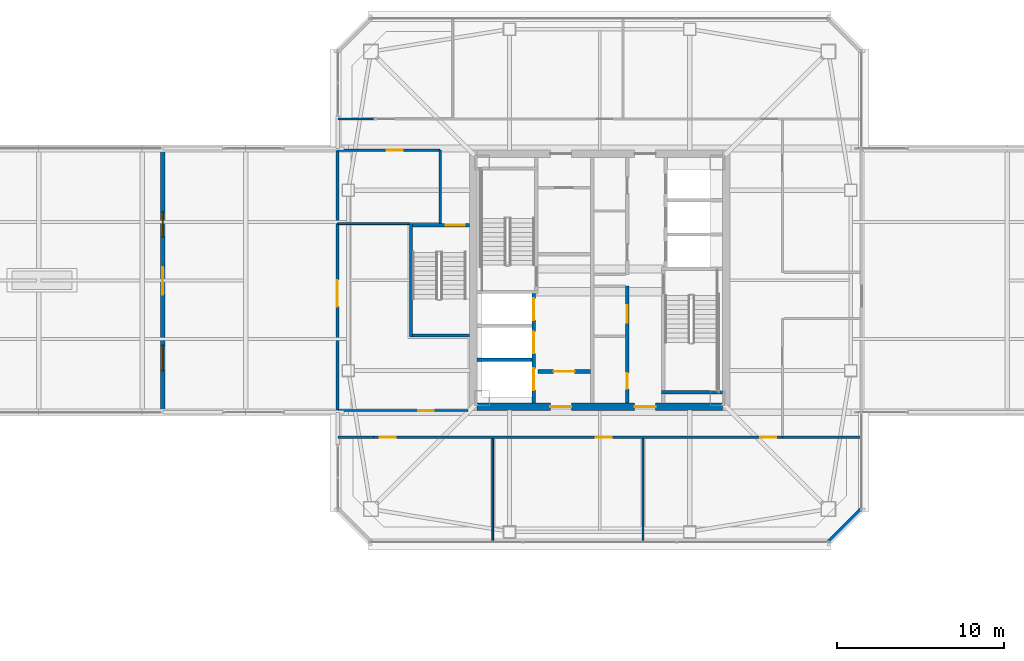
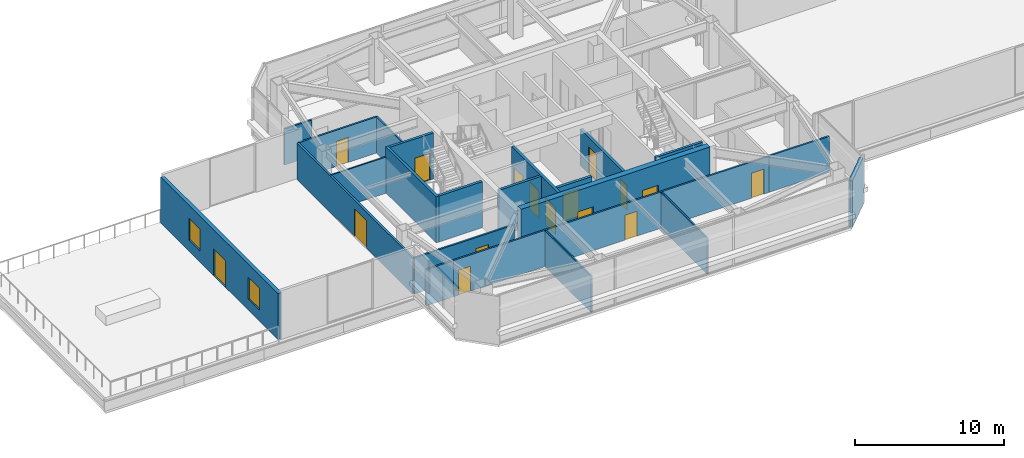
# One storey, part 39 of 51: 22 walls, 16 doors, 2 windows, 18 openings.
"""IFC4 building model written with IfcOpenShell, lengths in metres."""

from ifc_helpers import new_model, si_unit, direction, frame, frame_2d, origin, place, context, subcontext, project, spatial, rectangle, extrude, material, layer, layer_set, type_object, element, fill, save


model = new_model("IFC4")

# Units and contexts
model_context = context("Model", 3, precision=1e-05, world=origin(), true_north=direction((0.0, 1.0)))
body_context = subcontext(model_context, "Body", "Model", "MODEL_VIEW")
ifc_project = project(units=[si_unit("LENGTHUNIT", "METRE"), si_unit("AREAUNIT", "SQUARE_METRE"), si_unit("VOLUMEUNIT", "CUBIC_METRE"), si_unit("PLANEANGLEUNIT", "RADIAN"), si_unit("MASSUNIT", "GRAM", prefix="KILO")], contexts=[model_context])

# Site, building, storey
site_placement = place(None, origin())
site = spatial("IfcSite", under=ifc_project, at=site_placement, CompositionType="ELEMENT")
building_placement = place(site_placement, origin())
building = spatial("IfcBuilding", under=site, at=building_placement, Name="Tashvorn Skyway Center", CompositionType="ELEMENT")
storey_placement = place(building_placement, frame((0.0, 0.0, 251.39990234375)))
storey = spatial("IfcBuildingStorey", under=building, at=storey_placement, Name="L68", CompositionType="ELEMENT", Elevation=251.39990234375)

# Wall, openings, doors
ifc_material_1 = material(Name="Concrete C50/60", Category="concrete")
ifc_layer_1 = layer(ifc_material_1, 0.449951171875)
ifc_layer_set_1 = layer_set([ifc_layer_1], Name="Concrete C50/60")
wall_type_1 = type_object("IfcWallType", Name="WALL-CORE-450", PredefinedType="SHEAR", material=ifc_layer_set_1)
wall_1_placement = place(storey_placement, frame((49.35009765625, 24.425048828125, 0.0), z_axis=(0.0, 0.0, 1.0), x_axis=(-1.0, 0.0, 0.0)))
wall_1 = element("IfcWall", 1, at=wall_1_placement, inside=storey, type_object=wall_type_1, Name="Tower 1 L68 South Core Shear Wall", PredefinedType="SHEAR", context=body_context, shape_type="SweptSolid", body=[
    extrude(rectangle(XDim=14.7001953125, YDim=0.449951171875, at=frame_2d((7.35009765625, 0.0))), origin(), (0.0, 0.0, 1.0), 4.0),
])
opening_1_placement = place(wall_1_placement, frame((9.050048828125, 0.0, 0.0)))
opening_1 = element("IfcOpeningElement", 2, at=opening_1_placement, cuts=wall_1, Name="Opening D-FFL-1250", PredefinedType="OPENING", context=body_context, shape_type="SweptSolid", body=[
    extrude(rectangle(XDim=1.25, YDim=2.25, at=frame_2d((0.625, 1.125))), frame((0.0, 0.23486328125, 0.0), z_axis=(0.0, -1.0, 0.0), x_axis=(1.0, 0.0, 0.0)), (0.0, 0.0, 1.0), 0.469970703125),
])
opening_2_placement = place(wall_1_placement, frame((4.0, 0.0, 0.0)))
opening_2 = element("IfcOpeningElement", 3, at=opening_2_placement, cuts=wall_1, Name="Opening D-FFL-1250", PredefinedType="OPENING", context=body_context, shape_type="SweptSolid", body=[
    extrude(rectangle(XDim=1.25, YDim=2.25, at=frame_2d((0.625, 1.125))), frame((0.0, 0.23486328125, 0.0), z_axis=(0.0, -1.0, 0.0), x_axis=(1.0, 0.0, 0.0)), (0.0, 0.0, 1.0), 0.469970703125),
])
ifc_material_2 = material(Name="Hollow galvanized steel fire door assembly", Category="steel")
door_type_1 = type_object("IfcDoorType", Name="DOOR-FFL-1250", OperationType="NOTDEFINED", PredefinedType="DOOR", material=ifc_material_2)
door_1_placement = place(opening_1_placement, origin())
door_1 = element("IfcDoor", 4, at=door_1_placement, inside=storey, type_object=door_type_1, Name="Tower 1 L68 Core South Firefighting Exit Door", OperationType="SINGLE_SWING_LEFT", OverallHeight=2.25, OverallWidth=1.25, PredefinedType="DOOR", context=body_context, shape_type="SweptSolid", body=[
    extrude(rectangle(XDim=1.25, YDim=2.25, at=frame_2d((0.625, 1.125))), frame((0.0, 0.02490234375, 0.0), z_axis=(0.0, -1.0, 0.0), x_axis=(1.0, 0.0, 0.0)), (0.0, 0.0, 1.0), 0.050048828125),
])
fill(opening_1, door_1)
door_2_placement = place(opening_2_placement, origin())
door_2 = element("IfcDoor", 5, at=door_2_placement, inside=storey, type_object=door_type_1, Name="Tower 1 L68 Core South Lift Lobby Door", OperationType="SINGLE_SWING_RIGHT", OverallHeight=2.25, OverallWidth=1.25, PredefinedType="DOOR", context=body_context, shape_type="SweptSolid", body=[
    extrude(rectangle(XDim=1.25, YDim=2.25, at=frame_2d((0.625, 1.125))), frame((0.0, 0.02490234375, 0.0), z_axis=(0.0, -1.0, 0.0), x_axis=(1.0, 0.0, 0.0)), (0.0, 0.0, 1.0), 0.050048828125),
])
fill(opening_2, door_2)

# Wall
ifc_material_3 = material(Name="Precast concrete C40/50", Category="concrete")
ifc_layer_2 = layer(ifc_material_3, 0.280029296875)
ifc_layer_set_2 = layer_set([ifc_layer_2], Name="Precast concrete C40/50")
wall_type_2 = type_object("IfcWallType", Name="WALL-EXT-280", PredefinedType="SOLIDWALL", material=ifc_layer_set_2)
wall_2_placement = place(storey_placement, frame((57.699951171875, 18.300048828125, 0.0), z_axis=(0.0, 0.0, 1.0), x_axis=(-0.707106781187, -0.707106781187, 0.0)))
element("IfcWall", 6, at=wall_2_placement, inside=storey, type_object=wall_type_2, Name="Tower 1 L68 SE Precast Chamfer Wall", PredefinedType="SOLIDWALL", context=body_context, shape_type="SweptSolid", body=[
    extrude(rectangle(XDim=2.828369140625, YDim=0.280029296875, at=frame_2d((1.4140625, 0.0))), origin(), (0.0, 0.0, 1.0), 3.780029296875),
])

# Wall, openings, door, windows
wall_3_placement = place(storey_placement, frame((15.840087890625, 24.10009765625, 0.0), z_axis=(0.0, 0.0, 1.0), x_axis=(0.0, 1.0, 0.0)))
wall_3 = element("IfcWall", 7, at=wall_3_placement, inside=storey, type_object=wall_type_2, Name="Sky-Park L68 West Sky-Garden Portal Wall", PredefinedType="SOLIDWALL", context=body_context, shape_type="SweptSolid", body=[
    extrude(rectangle(XDim=15.7998046875, YDim=0.280029296875, at=frame_2d((7.89990234375, 0.0))), origin(), (0.0, 0.0, 1.0), 3.780029296875),
])
opening_3_placement = place(wall_3_placement, frame((7.050048828125, 0.0, 0.0)))
opening_3 = element("IfcOpeningElement", 8, at=opening_3_placement, cuts=wall_3, Name="Opening D-TER-1650", PredefinedType="OPENING", context=body_context, shape_type="SweptSolid", body=[
    extrude(rectangle(XDim=1.64990234375, YDim=2.199951171875, at=frame_2d((0.824951171875, 1.10009765625))), frame((0.0, 0.14990234375, 0.0), z_axis=(0.0, -1.0, 0.0), x_axis=(1.0, 0.0, 0.0)), (0.0, 0.0, 1.0), 0.300048828125),
])
opening_4_placement = place(wall_3_placement, frame((2.5, 0.0, 0.89990234375)))
opening_4 = element("IfcOpeningElement", 9, at=opening_4_placement, cuts=wall_3, Name="Opening WIN-1500", PredefinedType="OPENING", context=body_context, shape_type="SweptSolid", body=[
    extrude(rectangle(XDim=1.5, YDim=1.800048828125, at=frame_2d((0.75, 0.89990234375))), frame((0.0, 0.14990234375, 0.0), z_axis=(0.0, -1.0, 0.0), x_axis=(1.0, 0.0, 0.0)), (0.0, 0.0, 1.0), 0.300048828125),
])
opening_5_placement = place(wall_3_placement, frame((10.5, 0.0, 0.89990234375)))
opening_5 = element("IfcOpeningElement", 10, at=opening_5_placement, cuts=wall_3, Name="Opening WIN-1500", PredefinedType="OPENING", context=body_context, shape_type="SweptSolid", body=[
    extrude(rectangle(XDim=1.5, YDim=1.800048828125, at=frame_2d((0.75, 0.89990234375))), frame((0.0, 0.14990234375, 0.0), z_axis=(0.0, -1.0, 0.0), x_axis=(1.0, 0.0, 0.0)), (0.0, 0.0, 1.0), 0.300048828125),
])
ifc_material_4 = material(Name="Thermally broken bronze-anodized aluminium 6063-T6", Category="aluminium")
door_type_2 = type_object("IfcDoorType", Name="DOOR-TERR-1650", OperationType="DOUBLE_DOOR_SINGLE_SWING", PredefinedType="DOOR", material=ifc_material_4)
door_3_placement = place(opening_3_placement, origin())
door_3 = element("IfcDoor", 11, at=door_3_placement, inside=storey, type_object=door_type_2, Name="Sky-Park L68 Cantilever Terrace Double Door", OperationType="DOUBLE_DOOR_SINGLE_SWING", OverallHeight=2.199951171875, OverallWidth=1.64990234375, PredefinedType="DOOR", context=body_context, shape_type="SweptSolid", body=[
    extrude(rectangle(XDim=1.64990234375, YDim=2.199951171875, at=frame_2d((0.824951171875, 1.10009765625))), frame((0.0, 0.02490234375, 0.0), z_axis=(0.0, -1.0, 0.0), x_axis=(1.0, 0.0, 0.0)), (0.0, 0.0, 1.0), 0.050048828125),
])
fill(opening_3, door_3)
ifc_material_5 = material(Name="Low-E solar-control double insulating safety glass", Category="glass")
window_type = type_object("IfcWindowType", Name="WIN-PAV-1500", PartitioningType="SINGLE_PANEL", PredefinedType="WINDOW", material=ifc_material_5)
window_1_placement = place(opening_4_placement, origin())
window_1 = element("IfcWindow", 12, at=window_1_placement, inside=storey, type_object=window_type, Name="Sky-Park L68 Cantilever Portal Window South", OverallHeight=1.800048828125, OverallWidth=1.5, PartitioningType="SINGLE_PANEL", PredefinedType="WINDOW", context=body_context, shape_type="SweptSolid", body=[
    extrude(rectangle(XDim=1.5, YDim=1.800048828125, at=frame_2d((0.75, 0.89990234375))), frame((0.0, 0.030029296875, 0.0), z_axis=(0.0, -1.0, 0.0), x_axis=(1.0, 0.0, 0.0)), (0.0, 0.0, 1.0), 0.06005859375),
])
fill(opening_4, window_1)
window_2_placement = place(opening_5_placement, origin())
window_2 = element("IfcWindow", 13, at=window_2_placement, inside=storey, type_object=window_type, Name="Sky-Park L68 Cantilever Portal Window North", OverallHeight=1.800048828125, OverallWidth=1.5, PartitioningType="SINGLE_PANEL", PredefinedType="WINDOW", context=body_context, shape_type="SweptSolid", body=[
    extrude(rectangle(XDim=1.5, YDim=1.800048828125, at=frame_2d((0.75, 0.89990234375))), frame((0.0, 0.030029296875, 0.0), z_axis=(0.0, -1.0, 0.0), x_axis=(1.0, 0.0, 0.0)), (0.0, 0.0, 1.0), 0.06005859375),
])
fill(opening_5, window_2)

# Wall, opening, door
ifc_material_6 = material(Name="Concrete C40/50", Category="concrete")
ifc_layer_3 = layer(ifc_material_6, 0.219970703125)
ifc_layer_set_3 = layer_set([ifc_layer_3], Name="Concrete C40/50")
wall_type_3 = type_object("IfcWallType", Name="WALL-FFL-220", PredefinedType="SOLIDWALL", material=ifc_layer_set_3)
wall_4_placement = place(storey_placement, frame((38.300048828125, 26.5400390625, 0.0), z_axis=(0.0, 0.0, 1.0), x_axis=(1.0, 0.0, 0.0)))
wall_4 = element("IfcWall", 14, at=wall_4_placement, inside=storey, type_object=wall_type_3, Name="Tower 1 L68 Firefighting Lobby South Wall", PredefinedType="SOLIDWALL", context=body_context, shape_type="SweptSolid", body=[
    extrude(rectangle(XDim=3.14990234375, YDim=0.219970703125, at=frame_2d((1.574951171875, 0.0))), origin(), (0.0, 0.0, 1.0), 2.97119140625),
])
opening_6_placement = place(wall_4_placement, frame((0.949951171875, 0.0, 0.0)))
opening_6 = element("IfcOpeningElement", 15, at=opening_6_placement, cuts=wall_4, Name="Opening D-FFL-1250", PredefinedType="OPENING", context=body_context, shape_type="SweptSolid", body=[
    extrude(rectangle(XDim=1.25, YDim=2.25, at=frame_2d((0.625, 1.125))), frame((0.0, 0.119873046875, 0.0), z_axis=(0.0, -1.0, 0.0), x_axis=(1.0, 0.0, 0.0)), (0.0, 0.0, 1.0), 0.239990234375),
])
door_4_placement = place(opening_6_placement, origin())
door_4 = element("IfcDoor", 16, at=door_4_placement, inside=storey, type_object=door_type_1, Name="Tower 1 L68 Firefighting Lobby Egress Door", OperationType="SINGLE_SWING_LEFT", OverallHeight=2.25, OverallWidth=1.25, PredefinedType="DOOR", context=body_context, shape_type="SweptSolid", body=[
    extrude(rectangle(XDim=1.25, YDim=2.25, at=frame_2d((0.625, 1.125))), frame((0.0, 0.02490234375, 0.0), z_axis=(0.0, -1.0, 0.0), x_axis=(1.0, 0.0, 0.0)), (0.0, 0.0, 1.0), 0.050048828125),
])
fill(opening_6, door_4)

# Walls
ifc_material_7 = material(Name="Gypsum board on cold-formed steel stud framing", Category="steel")
ifc_layer_4 = layer(ifc_material_7, 0.110107421875)
ifc_layer_set_4 = layer_set([ifc_layer_4], Name="Gypsum board on cold-formed steel stud framing")
wall_type_4 = type_object("IfcWallType", Name="WALL-PART-110", PredefinedType="PARTITIONING", material=ifc_layer_set_4)
for number, where, z_axis, x_axis, name in (
    (17, (35.60009765625, 16.320068359375, 0.0), (0.0, 0.0, 1.0), (0.0, 1.0, 0.0), "Tower 1 L68 South Suite Partition 1"),
    (18, (44.60009765625, 16.320068359375, 0.0), (0.0, 0.0, 1.0), (0.0, 1.0, 0.0), "Tower 1 L68 South Suite Partition 2"),
):
    element("IfcWall", number, at=place(storey_placement, frame(where, z_axis=z_axis, x_axis=x_axis)), inside=storey, type_object=wall_type_4, Name=name, PredefinedType="PARTITIONING", context=body_context, shape_type="SweptSolid", body=[
        extrude(rectangle(XDim=6.199951171875, YDim=0.110107421875, at=frame_2d((3.10009765625, 0.0))), origin(), (0.0, 0.0, 1.0), 2.97119140625),
    ])
wall_5_placement = place(storey_placement, frame((30.60009765625, 35.39990234375, 0.0), z_axis=(0.0, 0.0, 1.0), x_axis=(-1.0, 0.0, 0.0)))
element("IfcWall", 19, at=wall_5_placement, inside=storey, type_object=wall_type_4, Name="Tower 1 L68 West Suite Partition 1", PredefinedType="PARTITIONING", context=body_context, shape_type="SweptSolid", body=[
    extrude(rectangle(XDim=4.280029296875, YDim=0.110107421875, at=frame_2d((2.14013671875, 0.0))), origin(), (0.0, 0.0, 1.0), 2.97119140625),
])
ifc_layer_5 = layer(ifc_material_7, 0.135009765625)
ifc_layer_set_5 = layer_set([ifc_layer_5], Name="Gypsum board on cold-formed steel stud framing")
wall_type_5 = type_object("IfcWallType", Name="WALL-PART-135", PredefinedType="PARTITIONING", material=ifc_layer_set_5)
wall_6_placement = place(storey_placement, frame((32.449951171875, 35.39990234375, 0.0), z_axis=(0.0, 0.0, 1.0), x_axis=(0.0, 1.0, 0.0)))
element("IfcWall", 20, at=wall_6_placement, inside=storey, type_object=wall_type_5, Name="Tower 1 L68 Stair 3 Access Corridor Wall", PredefinedType="PARTITIONING", context=body_context, shape_type="SweptSolid", body=[
    extrude(rectangle(XDim=4.400146484375, YDim=0.135009765625, at=frame_2d((2.2001953125, 0.0))), origin(), (0.0, 0.0, 1.0), 2.97119140625),
])
wall_7_placement = place(storey_placement, frame((26.320068359375, 41.669921875, 0.0), z_axis=(0.0, 0.0, 1.0), x_axis=(1.0, 0.0, 0.0)))
element("IfcWall", 21, at=wall_7_placement, inside=storey, type_object=wall_type_5, Name="Tower 1 L68 North-West Suite South Wall", PredefinedType="PARTITIONING", context=body_context, shape_type="SweptSolid", body=[
    extrude(rectangle(XDim=2.1298828125, YDim=0.135009765625, at=frame_2d((1.06494140625, 0.0))), origin(), (0.0, 0.0, 1.0), 2.97119140625),
])

# Wall, openings, doors
wall_8_placement = place(storey_placement, frame((52.949951171875, 22.60009765625, 0.0), z_axis=(0.0, 0.0, 1.0), x_axis=(-1.0, 0.0, 0.0)))
wall_8 = element("IfcWall", 22, at=wall_8_placement, inside=storey, type_object=wall_type_5, Name="Tower 1 L68 South Suite Wall", PredefinedType="PARTITIONING", context=body_context, shape_type="SweptSolid", body=[
    extrude(rectangle(XDim=24.5, YDim=0.135009765625, at=frame_2d((12.25, 0.0))), origin(), (0.0, 0.0, 1.0), 2.97119140625),
])
opening_7_placement = place(wall_8_placement, frame((23.169921875, 0.0, 0.0)))
opening_7 = element("IfcOpeningElement", 23, at=opening_7_placement, cuts=wall_8, Name="Opening D-INT-950", PredefinedType="OPENING", context=body_context, shape_type="SweptSolid", body=[
    extrude(rectangle(XDim=0.949951171875, YDim=2.050048828125, at=frame_2d((0.47509765625, 1.02490234375))), frame((0.0, 0.077392578125, 0.0), z_axis=(0.0, -1.0, 0.0), x_axis=(1.0, 0.0, 0.0)), (0.0, 0.0, 1.0), 0.155029296875),
])
opening_8_placement = place(wall_8_placement, frame((10.23828125, 0.0, 0.0)))
opening_8 = element("IfcOpeningElement", 24, at=opening_8_placement, cuts=wall_8, Name="Opening D-INT-950", PredefinedType="OPENING", context=body_context, shape_type="SweptSolid", body=[
    extrude(rectangle(XDim=0.949951171875, YDim=2.050048828125, at=frame_2d((0.47509765625, 1.02490234375))), frame((0.0, 0.077392578125, 0.0), z_axis=(0.0, -1.0, 0.0), x_axis=(1.0, 0.0, 0.0)), (0.0, 0.0, 1.0), 0.155029296875),
])
opening_9_placement = place(wall_8_placement, frame((0.3798828125, 0.0, 0.0)))
opening_9 = element("IfcOpeningElement", 25, at=opening_9_placement, cuts=wall_8, Name="Opening D-INT-950", PredefinedType="OPENING", context=body_context, shape_type="SweptSolid", body=[
    extrude(rectangle(XDim=0.949951171875, YDim=2.050048828125, at=frame_2d((0.47509765625, 1.02490234375))), frame((0.0, 0.077392578125, 0.0), z_axis=(0.0, -1.0, 0.0), x_axis=(1.0, 0.0, 0.0)), (0.0, 0.0, 1.0), 0.155029296875),
])
ifc_material_8 = material(Name="Solid-core architectural oak veneer door")
door_type_3 = type_object("IfcDoorType", Name="DOOR-INT-950", OperationType="NOTDEFINED", PredefinedType="DOOR", material=ifc_material_8)
door_5_placement = place(opening_7_placement, origin())
door_5 = element("IfcDoor", 26, at=door_5_placement, inside=storey, type_object=door_type_3, Name="Tower 1 L68 Executive Suite Door", OperationType="SINGLE_SWING_RIGHT", OverallHeight=2.050048828125, OverallWidth=0.949951171875, PredefinedType="DOOR", context=body_context, shape_type="SweptSolid", body=[
    extrude(rectangle(XDim=0.949951171875, YDim=2.050048828125, at=frame_2d((0.47509765625, 1.02490234375))), frame((0.0, 0.02490234375, 0.0), z_axis=(0.0, -1.0, 0.0), x_axis=(1.0, 0.0, 0.0)), (0.0, 0.0, 1.0), 0.050048828125),
])
fill(opening_7, door_5)
door_6_placement = place(opening_8_placement, origin())
door_6 = element("IfcDoor", 27, at=door_6_placement, inside=storey, type_object=door_type_3, Name="Tower 1 L68 Boardroom Door", OperationType="SINGLE_SWING_LEFT", OverallHeight=2.050048828125, OverallWidth=0.949951171875, PredefinedType="DOOR", context=body_context, shape_type="SweptSolid", body=[
    extrude(rectangle(XDim=0.949951171875, YDim=2.050048828125, at=frame_2d((0.47509765625, 1.02490234375))), frame((0.0, 0.02490234375, 0.0), z_axis=(0.0, -1.0, 0.0), x_axis=(1.0, 0.0, 0.0)), (0.0, 0.0, 1.0), 0.050048828125),
])
fill(opening_8, door_6)
door_7_placement = place(opening_9_placement, origin())
door_7 = element("IfcDoor", 28, at=door_7_placement, inside=storey, type_object=door_type_3, Name="Tower 1 L68 Boardroom Door", OperationType="SINGLE_SWING_RIGHT", OverallHeight=2.050048828125, OverallWidth=0.949951171875, PredefinedType="DOOR", context=body_context, shape_type="SweptSolid", body=[
    extrude(rectangle(XDim=0.949951171875, YDim=2.050048828125, at=frame_2d((0.47509765625, 1.02490234375))), frame((0.0, 0.02490234375, 0.0), z_axis=(0.0, -1.0, 0.0), x_axis=(1.0, 0.0, 0.0)), (0.0, 0.0, 1.0), 0.050048828125),
])
fill(opening_9, door_7)

# Walls
wall_9_placement = place(storey_placement, frame((26.320068359375, 22.60009765625, 0.0), z_axis=(0.0, 0.0, 1.0), x_axis=(1.0, 0.0, 0.0)))
element("IfcWall", 29, at=wall_9_placement, inside=storey, type_object=wall_type_5, Name="Tower 1 L68 South-West Suite North Wall", PredefinedType="PARTITIONING", context=body_context, shape_type="SweptSolid", body=[
    extrude(rectangle(XDim=2.1298828125, YDim=0.135009765625, at=frame_2d((1.06494140625, 0.0))), origin(), (0.0, 0.0, 1.0), 2.97119140625),
])
wall_10_placement = place(storey_placement, frame((52.949951171875, 22.60009765625, 0.0), z_axis=(0.0, 0.0, 1.0), x_axis=(1.0, 0.0, 0.0)))
element("IfcWall", 30, at=wall_10_placement, inside=storey, type_object=wall_type_5, Name="Tower 1 L68 South-East Suite North Wall", PredefinedType="PARTITIONING", context=body_context, shape_type="SweptSolid", body=[
    extrude(rectangle(XDim=4.72998046875, YDim=0.135009765625, at=frame_2d((2.364990234375, 0.0))), origin(), (0.0, 0.0, 1.0), 2.97119140625),
])

# Wall, opening, door
wall_11_placement = place(storey_placement, frame((32.449951171875, 39.800048828125, 0.0), z_axis=(0.0, 0.0, 1.0), x_axis=(-1.0, 0.0, 0.0)))
wall_11 = element("IfcWall", 31, at=wall_11_placement, inside=storey, type_object=wall_type_5, Name="Tower 1 L68 West Suite North Wall", PredefinedType="PARTITIONING", context=body_context, shape_type="SweptSolid", body=[
    extrude(rectangle(XDim=6.1298828125, YDim=0.135009765625, at=frame_2d((3.06494140625, 0.0))), origin(), (0.0, 0.0, 1.0), 2.97119140625),
])
opening_10_placement = place(wall_11_placement, frame((2.239990234375, 0.0, 0.0)))
opening_10 = element("IfcOpeningElement", 32, at=opening_10_placement, cuts=wall_11, Name="Opening D-INT-950", PredefinedType="OPENING", context=body_context, shape_type="SweptSolid", body=[
    extrude(rectangle(XDim=0.949951171875, YDim=2.050048828125, at=frame_2d((0.47509765625, 1.02490234375))), frame((0.0, 0.077392578125, 0.0), z_axis=(0.0, -1.0, 0.0), x_axis=(1.0, 0.0, 0.0)), (0.0, 0.0, 1.0), 0.155029296875),
])
door_8_placement = place(opening_10_placement, origin())
door_8 = element("IfcDoor", 33, at=door_8_placement, inside=storey, type_object=door_type_3, Name="Tower 1 L68 Security Control Room Door", OperationType="SINGLE_SWING_LEFT", OverallHeight=2.050048828125, OverallWidth=0.949951171875, PredefinedType="DOOR", context=body_context, shape_type="SweptSolid", body=[
    extrude(rectangle(XDim=0.949951171875, YDim=2.050048828125, at=frame_2d((0.47509765625, 1.02490234375))), frame((0.0, 0.02490234375, 0.0), z_axis=(0.0, -1.0, 0.0), x_axis=(1.0, 0.0, 0.0)), (0.0, 0.0, 1.0), 0.050048828125),
])
fill(opening_10, door_8)

wall_12_placement = place(storey_placement, frame((26.320068359375, 24.199951171875, 0.0), z_axis=(0.0, 0.0, 1.0), x_axis=(1.0, 0.0, 0.0)))
wall_12 = element("IfcWall", 34, at=wall_12_placement, inside=storey, type_object=wall_type_5, Name="Tower 1 L68 West Suite South Wall", PredefinedType="PARTITIONING", context=body_context, shape_type="SweptSolid", body=[
    extrude(rectangle(XDim=7.800048828125, YDim=0.135009765625, at=frame_2d((3.89990234375, 0.0))), origin(), (0.0, 0.0, 1.0), 2.97119140625),
])
opening_11_placement = place(wall_12_placement, frame((4.804931640625, 0.0, 0.0)))
opening_11 = element("IfcOpeningElement", 35, at=opening_11_placement, cuts=wall_12, Name="Opening D-INT-950", PredefinedType="OPENING", context=body_context, shape_type="SweptSolid", body=[
    extrude(rectangle(XDim=0.949951171875, YDim=2.050048828125, at=frame_2d((0.47509765625, 1.02490234375))), frame((0.0, 0.077392578125, 0.0), z_axis=(0.0, -1.0, 0.0), x_axis=(1.0, 0.0, 0.0)), (0.0, 0.0, 1.0), 0.155029296875),
])
door_9_placement = place(opening_11_placement, origin())
door_9 = element("IfcDoor", 36, at=door_9_placement, inside=storey, type_object=door_type_3, Name="Tower 1 L68 Breakout Lounge Door", OperationType="SINGLE_SWING_RIGHT", OverallHeight=2.050048828125, OverallWidth=0.949951171875, PredefinedType="DOOR", context=body_context, shape_type="SweptSolid", body=[
    extrude(rectangle(XDim=0.949951171875, YDim=2.050048828125, at=frame_2d((0.47509765625, 1.02490234375))), frame((0.0, 0.02490234375, 0.0), z_axis=(0.0, -1.0, 0.0), x_axis=(1.0, 0.0, 0.0)), (0.0, 0.0, 1.0), 0.050048828125),
])
fill(opening_11, door_9)

ifc_layer_6 = layer(ifc_material_7, 0.159912109375)
ifc_layer_set_6 = layer_set([ifc_layer_6], Name="Gypsum board on cold-formed steel stud framing")
wall_type_6 = type_object("IfcWallType", Name="WALL-PART-160", PredefinedType="PARTITIONING", material=ifc_layer_set_6)
wall_13_placement = place(storey_placement, frame((26.300048828125, 24.219970703125, 0.0), z_axis=(0.0, 0.0, 1.0), x_axis=(0.0, 1.0, 0.0)))
wall_13 = element("IfcWall", 37, at=wall_13_placement, inside=storey, type_object=wall_type_6, Name="L68 Sky-Park Cantilever Entry Wall", PredefinedType="PARTITIONING", context=body_context, shape_type="SweptSolid", body=[
    extrude(rectangle(XDim=15.56005859375, YDim=0.159912109375, at=frame_2d((7.780029296875, 0.0))), origin(), (0.0, 0.0, 1.0), 2.97119140625),
])
opening_12_placement = place(wall_13_placement, frame((6.199951171875, 0.0, 0.0)))
opening_12 = element("IfcOpeningElement", 38, at=opening_12_placement, cuts=wall_13, Name="Opening D-DBL-1600", PredefinedType="OPENING", context=body_context, shape_type="SweptSolid", body=[
    extrude(rectangle(XDim=1.60009765625, YDim=2.25, at=frame_2d((0.800048828125, 1.125))), frame((0.0, 0.08984375, 0.0), z_axis=(0.0, -1.0, 0.0), x_axis=(1.0, 0.0, 0.0)), (0.0, 0.0, 1.0), 0.179931640625),
])
ifc_material_9 = material(Name="Anodized aluminium and tempered safety glass", Category="aluminium")
door_type_4 = type_object("IfcDoorType", Name="DOOR-DBL-1600", OperationType="DOUBLE_DOOR_SINGLE_SWING", PredefinedType="DOOR", material=ifc_material_9)
door_10_placement = place(opening_12_placement, origin())
door_10 = element("IfcDoor", 39, at=door_10_placement, inside=storey, type_object=door_type_4, Name="L68 Cantilever Gallery Entry Door", OperationType="DOUBLE_DOOR_SINGLE_SWING", OverallHeight=2.25, OverallWidth=1.60009765625, PredefinedType="DOOR", context=body_context, shape_type="SweptSolid", body=[
    extrude(rectangle(XDim=1.60009765625, YDim=2.25, at=frame_2d((0.800048828125, 1.125))), frame((0.0, 0.02490234375, 0.0), z_axis=(0.0, -1.0, 0.0), x_axis=(1.0, 0.0, 0.0)), (0.0, 0.0, 1.0), 0.050048828125),
])
fill(opening_12, door_10)

# Wall
ifc_layer_7 = layer(ifc_material_6, 0.199951171875)
ifc_layer_set_7 = layer_set([ifc_layer_7], Name="Concrete C40/50")
wall_type_7 = type_object("IfcWallType", Name="WALL-SHAFT-200", PredefinedType="SOLIDWALL", material=ifc_layer_set_7)
wall_14_placement = place(storey_placement, frame((34.64990234375, 27.25, 0.0), z_axis=(0.0, 0.0, 1.0), x_axis=(1.0, 0.0, 0.0)))
element("IfcWall", 40, at=wall_14_placement, inside=storey, type_object=wall_type_7, Name="Tower 1 L68 FSAE Shaft Divider", PredefinedType="SOLIDWALL", context=body_context, shape_type="SweptSolid", body=[
    extrude(rectangle(XDim=3.300048828125, YDim=0.199951171875, at=frame_2d((1.64990234375, 0.0))), origin(), (0.0, 0.0, 1.0), 3.780029296875),
])

# Wall, openings, doors
wall_15_placement = place(storey_placement, frame((43.64990234375, 24.64990234375, 0.0), z_axis=(0.0, 0.0, 1.0), x_axis=(0.0, 1.0, 0.0)))
wall_15 = element("IfcWall", 41, at=wall_15_placement, inside=storey, type_object=wall_type_7, Name="Tower 1 L68 Low-Rise Core Wall", PredefinedType="SOLIDWALL", context=body_context, shape_type="SweptSolid", body=[
    extrude(rectangle(XDim=7.0, YDim=0.199951171875, at=frame_2d((3.5, 0.0))), origin(), (0.0, 0.0, 1.0), 2.97119140625),
])
opening_13_placement = place(wall_15_placement, frame((0.85009765625, 0.0, 0.0)))
opening_13 = element("IfcOpeningElement", 42, at=opening_13_placement, cuts=wall_15, Name="Opening D-RT-950", PredefinedType="OPENING", context=body_context, shape_type="SweptSolid", body=[
    extrude(rectangle(XDim=0.949951171875, YDim=2.050048828125, at=frame_2d((0.47509765625, 1.02490234375))), frame((0.0, 0.10986328125, 0.0), z_axis=(0.0, -1.0, 0.0), x_axis=(1.0, 0.0, 0.0)), (0.0, 0.0, 1.0), 0.219970703125),
])
opening_14_placement = place(wall_15_placement, frame((4.800048828125, 0.0, 0.0)))
opening_14 = element("IfcOpeningElement", 43, at=opening_14_placement, cuts=wall_15, Name="Opening D-RT-1050", PredefinedType="OPENING", context=body_context, shape_type="SweptSolid", body=[
    extrude(rectangle(XDim=1.050048828125, YDim=2.199951171875, at=frame_2d((0.52490234375, 1.10009765625))), frame((0.0, 0.10986328125, 0.0), z_axis=(0.0, -1.0, 0.0), x_axis=(1.0, 0.0, 0.0)), (0.0, 0.0, 1.0), 0.219970703125),
])
door_type_5 = type_object("IfcDoorType", Name="DOOR-RATED-1050", OperationType="NOTDEFINED", PredefinedType="DOOR", material=ifc_material_2)
door_11_placement = place(opening_14_placement, origin())
door_11 = element("IfcDoor", 44, at=door_11_placement, inside=storey, type_object=door_type_5, Name="Tower 1 L68 Freed Core Room Door", OperationType="SINGLE_SWING_RIGHT", OverallHeight=2.199951171875, OverallWidth=1.050048828125, PredefinedType="DOOR", context=body_context, shape_type="SweptSolid", body=[
    extrude(rectangle(XDim=1.050048828125, YDim=2.199951171875, at=frame_2d((0.52490234375, 1.10009765625))), frame((0.0, 0.02490234375, 0.0), z_axis=(0.0, -1.0, 0.0), x_axis=(1.0, 0.0, 0.0)), (0.0, 0.0, 1.0), 0.050048828125),
])
fill(opening_14, door_11)
door_type_6 = type_object("IfcDoorType", Name="DOOR-RATED-950", OperationType="NOTDEFINED", PredefinedType="DOOR", material=ifc_material_2)
door_12_placement = place(opening_13_placement, origin())
door_12 = element("IfcDoor", 45, at=door_12_placement, inside=storey, type_object=door_type_6, Name="Tower 1 L68 Core Print Room Door", OperationType="SINGLE_SWING_LEFT", OverallHeight=2.050048828125, OverallWidth=0.949951171875, PredefinedType="DOOR", context=body_context, shape_type="SweptSolid", body=[
    extrude(rectangle(XDim=0.949951171875, YDim=2.050048828125, at=frame_2d((0.47509765625, 1.02490234375))), frame((0.0, 0.02490234375, 0.0), z_axis=(0.0, -1.0, 0.0), x_axis=(1.0, 0.0, 0.0)), (0.0, 0.0, 1.0), 0.050048828125),
])
fill(opening_13, door_12)

# Wall
ifc_layer_8 = layer(ifc_material_6, 0.199951171875)
ifc_layer_set_8 = layer_set([ifc_layer_8], Name="Concrete C40/50")
wall_type_8 = type_object("IfcWallType", Name="WALL-STSHF-200", PredefinedType="SHEAR", material=ifc_layer_set_8)
wall_16_placement = place(storey_placement, frame((45.699951171875, 25.300048828125, 0.0), z_axis=(0.0, 0.0, 1.0), x_axis=(1.0, 0.0, 0.0)))
element("IfcWall", 46, at=wall_16_placement, inside=storey, type_object=wall_type_8, Name="Tower 1 L68 Stair 2 South Wall", PredefinedType="SHEAR", context=body_context, shape_type="SweptSolid", body=[
    extrude(rectangle(XDim=3.650146484375, YDim=0.199951171875, at=frame_2d((1.8251953125, 0.0))), origin(), (0.0, 0.0, 1.0), 3.780029296875),
])

# Wall, openings, doors
wall_17_placement = place(storey_placement, frame((38.050048828125, 24.64990234375, 0.0), z_axis=(0.0, 0.0, 1.0), x_axis=(0.0, 1.0, 0.0)))
wall_17 = element("IfcWall", 47, at=wall_17_placement, inside=storey, type_object=wall_type_8, Name="Tower 1 L68 FSAE and Goods Shaft Front Wall", PredefinedType="SHEAR", context=body_context, shape_type="SweptSolid", body=[
    extrude(rectangle(XDim=6.550048828125, YDim=0.199951171875, at=frame_2d((3.27490234375, 0.0))), origin(), (0.0, 0.0, 1.0), 3.780029296875),
])
opening_15_placement = place(wall_17_placement, frame((4.97509765625, 0.0, 0.0)))
opening_15 = element("IfcOpeningElement", 48, at=opening_15_placement, cuts=wall_17, Name="Opening LD-FF-T1-1-L68", PredefinedType="OPENING", context=body_context, shape_type="SweptSolid", body=[
    extrude(rectangle(XDim=1.300048828125, YDim=2.25, at=frame_2d((0.64990234375, 1.125))), frame((0.0, 0.10986328125, 0.0), z_axis=(0.0, -1.0, 0.0), x_axis=(1.0, 0.0, 0.0)), (0.0, 0.0, 1.0), 0.219970703125),
])
opening_16_placement = place(wall_17_placement, frame((2.97509765625, 0.0, 0.0)))
opening_16 = element("IfcOpeningElement", 49, at=opening_16_placement, cuts=wall_17, Name="Opening LD-FF-T1-2-L68", PredefinedType="OPENING", context=body_context, shape_type="SweptSolid", body=[
    extrude(rectangle(XDim=1.300048828125, YDim=2.25, at=frame_2d((0.64990234375, 1.125))), frame((0.0, 0.10986328125, 0.0), z_axis=(0.0, -1.0, 0.0), x_axis=(1.0, 0.0, 0.0)), (0.0, 0.0, 1.0), 0.219970703125),
])
opening_17_placement = place(wall_17_placement, frame((0.77490234375, 0.0, 0.0)))
opening_17 = element("IfcOpeningElement", 50, at=opening_17_placement, cuts=wall_17, Name="Opening LD-GD-T1-1-L68", PredefinedType="OPENING", context=body_context, shape_type="SweptSolid", body=[
    extrude(rectangle(XDim=1.300048828125, YDim=2.25, at=frame_2d((0.64990234375, 1.125))), frame((0.0, 0.10986328125, 0.0), z_axis=(0.0, -1.0, 0.0), x_axis=(1.0, 0.0, 0.0)), (0.0, 0.0, 1.0), 0.219970703125),
])
ifc_material_10 = material(Name="Stainless steel heavy-duty landing door", Category="steel")
door_type_7 = type_object("IfcDoorType", Name="DOOR-LIFT-1300", OperationType="SLIDING_TO_LEFT", PredefinedType="DOOR", material=ifc_material_10)
door_13_placement = place(opening_15_placement, origin())
door_13 = element("IfcDoor", 51, at=door_13_placement, inside=storey, type_object=door_type_7, Name="Lift FF-T1-1 L68 Landing Door", OperationType="SLIDING_TO_LEFT", OverallHeight=2.25, OverallWidth=1.300048828125, PredefinedType="DOOR", context=body_context, shape_type="SweptSolid", body=[
    extrude(rectangle(XDim=1.300048828125, YDim=2.25, at=frame_2d((0.64990234375, 1.125))), frame((0.0, 0.02490234375, 0.0), z_axis=(0.0, -1.0, 0.0), x_axis=(1.0, 0.0, 0.0)), (0.0, 0.0, 1.0), 0.050048828125),
])
fill(opening_15, door_13)
door_14_placement = place(opening_16_placement, origin())
door_14 = element("IfcDoor", 52, at=door_14_placement, inside=storey, type_object=door_type_7, Name="Lift FF-T1-2 L68 Landing Door", OperationType="SLIDING_TO_LEFT", OverallHeight=2.25, OverallWidth=1.300048828125, PredefinedType="DOOR", context=body_context, shape_type="SweptSolid", body=[
    extrude(rectangle(XDim=1.300048828125, YDim=2.25, at=frame_2d((0.64990234375, 1.125))), frame((0.0, 0.02490234375, 0.0), z_axis=(0.0, -1.0, 0.0), x_axis=(1.0, 0.0, 0.0)), (0.0, 0.0, 1.0), 0.050048828125),
])
fill(opening_16, door_14)
door_15_placement = place(opening_17_placement, origin())
door_15 = element("IfcDoor", 53, at=door_15_placement, inside=storey, type_object=door_type_7, Name="Lift GD-T1-1 L68 Landing Door", OperationType="SLIDING_TO_LEFT", OverallHeight=2.25, OverallWidth=1.300048828125, PredefinedType="DOOR", context=body_context, shape_type="SweptSolid", body=[
    extrude(rectangle(XDim=1.300048828125, YDim=2.25, at=frame_2d((0.64990234375, 1.125))), frame((0.0, 0.02490234375, 0.0), z_axis=(0.0, -1.0, 0.0), x_axis=(1.0, 0.0, 0.0)), (0.0, 0.0, 1.0), 0.050048828125),
])
fill(opening_17, door_15)

# Wall
wall_18_placement = place(storey_placement, frame((30.699951171875, 28.60009765625, 0.0), z_axis=(0.0, 0.0, 1.0), x_axis=(0.0, 1.0, 0.0)))
element("IfcWall", 54, at=wall_18_placement, inside=storey, type_object=wall_type_8, Name="Tower 1 L68 Stair 3 Outer Wall", PredefinedType="SHEAR", context=body_context, shape_type="SweptSolid", body=[
    extrude(rectangle(XDim=6.7998046875, YDim=0.199951171875, at=frame_2d((3.39990234375, 0.0))), origin(), (0.0, 0.0, 1.0), 3.780029296875),
])

# Wall, opening, door
wall_19_placement = place(storey_placement, frame((34.199951171875, 35.300048828125, 0.0), z_axis=(0.0, 0.0, 1.0), x_axis=(-1.0, 0.0, 0.0)))
wall_19 = element("IfcWall", 55, at=wall_19_placement, inside=storey, type_object=wall_type_8, Name="Tower 1 L68 Stair 3 Enclosure Wall", PredefinedType="SHEAR", context=body_context, shape_type="SweptSolid", body=[
    extrude(rectangle(XDim=3.39990234375, YDim=0.199951171875, at=frame_2d((1.699951171875, 0.0))), origin(), (0.0, 0.0, 1.0), 3.780029296875),
])
opening_18_placement = place(wall_19_placement, frame((0.27490234375, 0.0, 0.0)))
opening_18 = element("IfcOpeningElement", 56, at=opening_18_placement, cuts=wall_19, Name="Opening D-ST-1150", PredefinedType="OPENING", context=body_context, shape_type="SweptSolid", body=[
    extrude(rectangle(XDim=1.14990234375, YDim=2.199951171875, at=frame_2d((0.574951171875, 1.10009765625))), frame((0.0, 0.10986328125, 0.0), z_axis=(0.0, -1.0, 0.0), x_axis=(1.0, 0.0, 0.0)), (0.0, 0.0, 1.0), 0.219970703125),
])
door_type_8 = type_object("IfcDoorType", Name="DOOR-STAIR-1150", OperationType="NOTDEFINED", PredefinedType="DOOR", material=ifc_material_2)
door_16_placement = place(opening_18_placement, origin())
door_16 = element("IfcDoor", 57, at=door_16_placement, inside=storey, type_object=door_type_8, Name="Tower 1 L68 Exit Stair 3 Door", OperationType="SINGLE_SWING_RIGHT", OverallHeight=2.199951171875, OverallWidth=1.14990234375, PredefinedType="DOOR", context=body_context, shape_type="SweptSolid", body=[
    extrude(rectangle(XDim=1.14990234375, YDim=2.199951171875, at=frame_2d((0.574951171875, 1.10009765625))), frame((0.0, 0.02490234375, 0.0), z_axis=(0.0, -1.0, 0.0), x_axis=(1.0, 0.0, 0.0)), (0.0, 0.0, 1.0), 0.050048828125),
])
fill(opening_18, door_16)

# Wall
wall_20_placement = place(storey_placement, frame((30.800048828125, 28.699951171875, 0.0), z_axis=(0.0, 0.0, 1.0), x_axis=(1.0, 0.0, 0.0)))
element("IfcWall", 58, at=wall_20_placement, inside=storey, type_object=wall_type_8, Name="Tower 1 L68 Stair 3 South Wall", PredefinedType="SHEAR", context=body_context, shape_type="SweptSolid", body=[
    extrude(rectangle(XDim=3.39990234375, YDim=0.199951171875, at=frame_2d((1.699951171875, 0.0))), origin(), (0.0, 0.0, 1.0), 3.780029296875),
])

save(model, "model.ifc")
